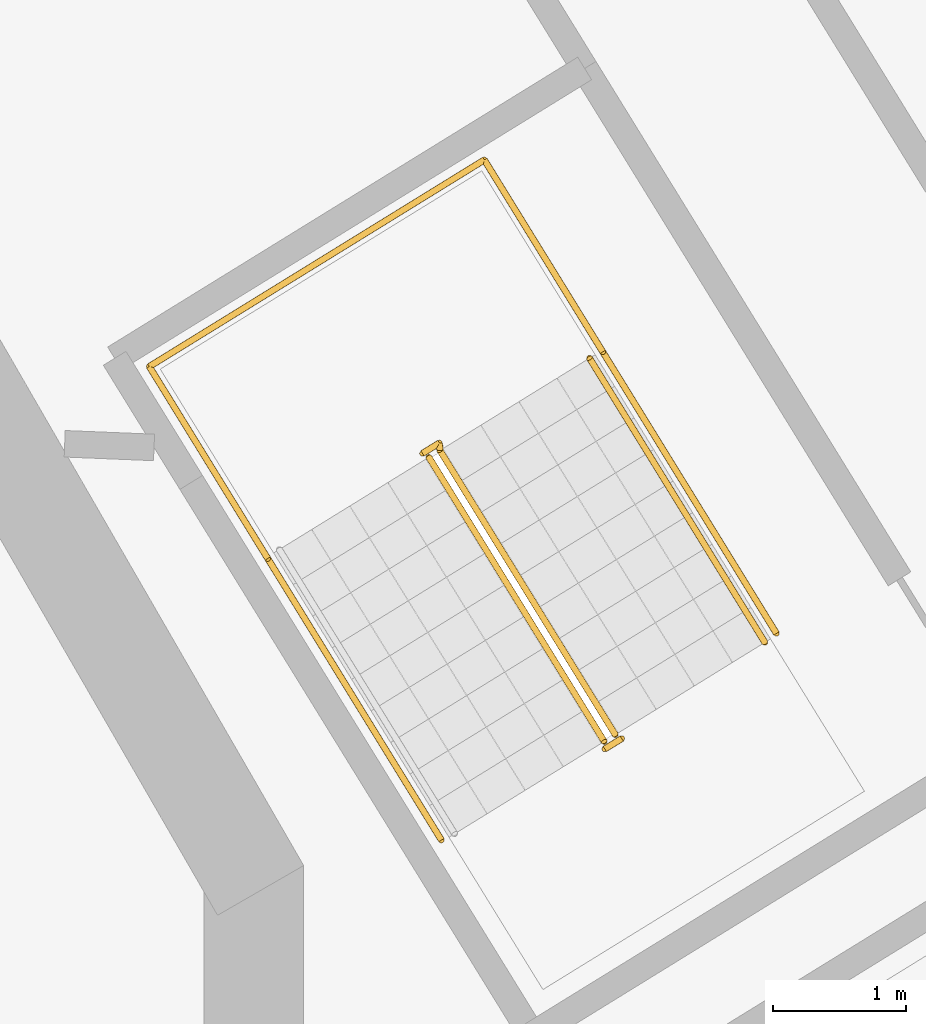
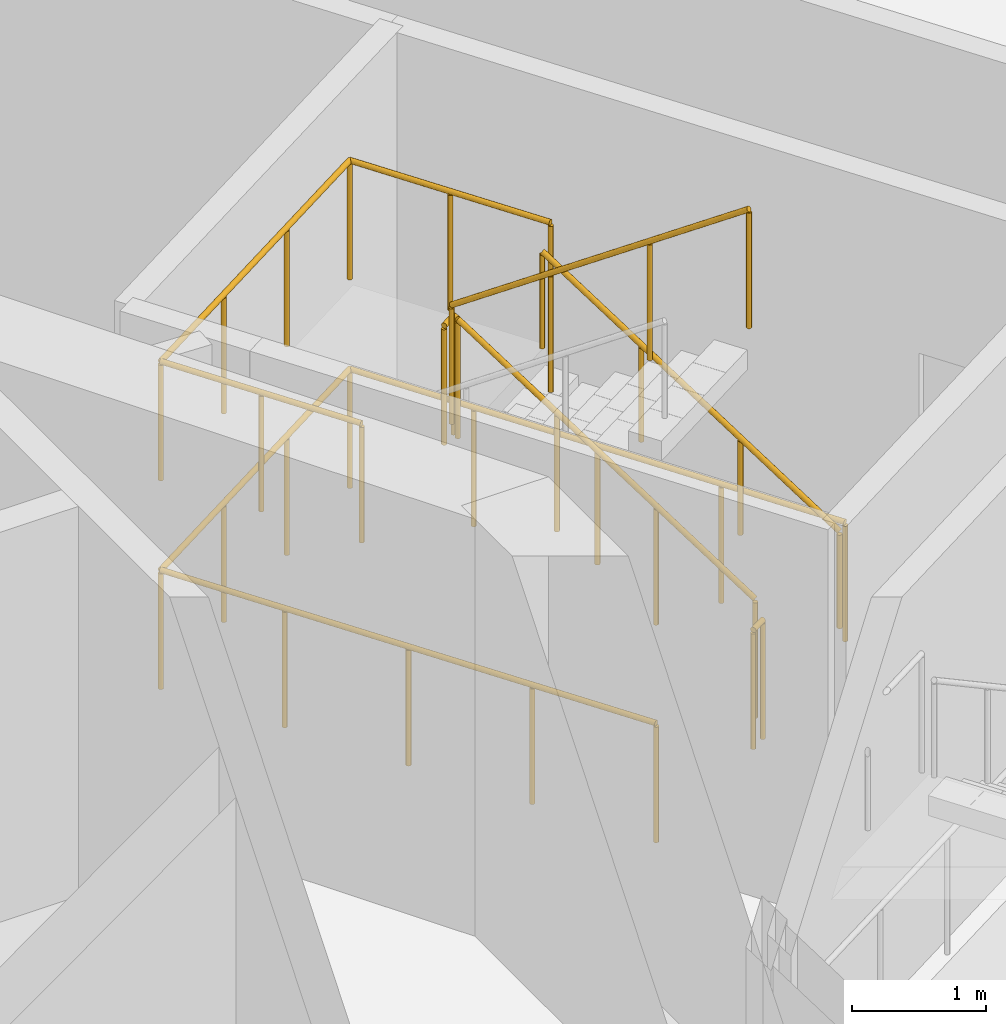
# One storey, part 17 of 19: 6 railings.
"""IFC4 building model written with IfcOpenShell, lengths in metres."""

from ifc_helpers import new_model, si_unit, direction, frame, origin, origin_2d, place, context, subcontext, project, spatial, circle, extrude, material, type_object, element, save


model = new_model("IFC4")

# Units and contexts
model_context = context("Model", 3, precision=1e-05, world=origin(), true_north=direction((0.0, 1.0)))
body_context = subcontext(model_context, "Body", "Model", "MODEL_VIEW")
ifc_project = project(units=[si_unit("LENGTHUNIT", "METRE"), si_unit("AREAUNIT", "SQUARE_METRE"), si_unit("VOLUMEUNIT", "CUBIC_METRE"), si_unit("PLANEANGLEUNIT", "RADIAN"), si_unit("MASSUNIT", "GRAM", prefix="KILO")], contexts=[model_context])

# Site, building, storey
site_placement = place(None, origin())
site = spatial("IfcSite", under=ifc_project, at=site_placement, CompositionType="ELEMENT")
building_placement = place(site_placement, origin())
building = spatial("IfcBuilding", under=site, at=building_placement, Name="Cantera Rosa Tower", CompositionType="ELEMENT")
storey_placement = place(building_placement, frame((0.0, 0.0, 147.60009765625)))
storey = spatial("IfcBuildingStorey", under=building, at=storey_placement, Name="L31", CompositionType="ELEMENT", Elevation=147.60009765625)

# Railings
ifc_material_1 = material(Name="Steel S355J2 (EN 10025-2)", Category="steel")
railing_type_1 = type_object("IfcRailingType", Name="STAIR GUARD 1100", PredefinedType="GUARDRAIL", material=ifc_material_1)
railing_1_placement = place(storey_placement, frame((12.9765625, 3.834228515625, 0.18994140625)))
element("IfcRailing", 1, at=railing_1_placement, inside=storey, type_object=railing_type_1, Name="L31 ST-31 stair guard 1", PredefinedType="GUARDRAIL", context=body_context, shape_type="SweptSolid", body=[
    extrude(circle(Radius=0.02392578125, at=origin_2d()), frame((0.0, 0.0, 1.076171875), z_axis=(-0.434362572038, 0.70429590169, 0.561512634654), x_axis=(-0.851145618652, -0.524929648476, 0.0)), (0.0, 0.0, 1.0), 3.045166015625),
    extrude(circle(Radius=0.02392578125, at=origin_2d()), frame((-1.32275390625, 2.144775390625, 2.7861328125), z_axis=(-0.073711968402, 0.997279572494, 0.0), x_axis=(-0.997279572494, -0.073711968402, 0.0)), (0.0, 0.0, 1.0), 0.056396484375),
    extrude(circle(Radius=0.02392578125, at=origin_2d()), frame((-1.326904296875, 2.200927734375, 2.7861328125), z_axis=(-0.851546489876, -0.524279100842, 0.0), x_axis=(0.524279100842, -0.851546489876, 0.0)), (0.0, 0.0, 1.0), 0.14990234375),
    extrude(circle(Radius=0.02099609375, at=origin_2d()), origin(), (0.0, 0.0, 1.0), 1.052001953125),
    extrude(circle(Radius=0.02099609375, at=origin_2d()), frame((-0.44091796875, 0.71484375, 0.570068359375)), (0.0, 0.0, 1.0), 1.052001953125),
    extrude(circle(Radius=0.02099609375, at=origin_2d()), frame((-0.8818359375, 1.429931640625, 1.139892578125)), (0.0, 0.0, 1.0), 1.052001953125),
    extrude(circle(Radius=0.02099609375, at=origin_2d()), frame((-1.32275390625, 2.144775390625, 1.7099609375)), (0.0, 0.0, 1.0), 1.052001953125),
    extrude(circle(Radius=0.02099609375, at=origin_2d()), frame((-1.326904296875, 2.200927734375, 1.7099609375)), (0.0, 0.0, 1.0), 1.052001953125),
    extrude(circle(Radius=0.02099609375, at=origin_2d()), frame((-1.45458984375, 2.122314453125, 1.7099609375)), (0.0, 0.0, 1.0), 1.052001953125),
])
railing_2_placement = place(storey_placement, frame((11.5703125, 5.927490234375, 2.08984375)))
element("IfcRailing", 2, at=railing_2_placement, inside=storey, type_object=railing_type_1, Name="L31 ST-31 stair guard 2", PredefinedType="GUARDRAIL", context=body_context, shape_type="SweptSolid", body=[
    extrude(circle(Radius=0.02392578125, at=origin_2d()), frame((0.0, 0.0, 1.076171875), z_axis=(0.434427613125, -0.704271375033, 0.561493080334), x_axis=(0.851102330005, 0.524999832248, 0.0)), (0.0, 0.0, 1.0), 3.04541015625),
    extrude(circle(Radius=0.02099609375, at=origin_2d()), origin(), (0.0, 0.0, 1.0), 1.052001953125),
    extrude(circle(Radius=0.02099609375, at=origin_2d()), frame((0.44091796875, -0.71484375, 0.570068359375)), (0.0, 0.0, 1.0), 1.052001953125),
    extrude(circle(Radius=0.02099609375, at=origin_2d()), frame((0.882080078125, -1.429931640625, 1.139892578125)), (0.0, 0.0, 1.0), 1.052001953125),
    extrude(circle(Radius=0.02099609375, at=origin_2d()), frame((1.322998046875, -2.144775390625, 1.7099609375)), (0.0, 0.0, 1.0), 1.052001953125),
])
railing_3_placement = place(storey_placement, frame((13.025146484375, 3.80517578125, 0.0)))
element("IfcRailing", 3, at=railing_3_placement, inside=storey, type_object=railing_type_1, Name="L31 ST-31 stair guard 3", PredefinedType="GUARDRAIL", context=body_context, shape_type="SweptSolid", body=[
    extrude(circle(Radius=0.02392578125, at=origin_2d()), frame((0.0, 0.0, 1.076171875), z_axis=(-0.851546489876, -0.524279100842, 0.0), x_axis=(0.524279100842, -0.851546489876, 0.0)), (0.0, 0.0, 1.0), 0.14990234375),
    extrude(circle(Radius=0.02099609375, at=origin_2d()), origin(), (0.0, 0.0, 1.0), 1.052001953125),
    extrude(circle(Radius=0.02099609375, at=origin_2d()), frame((-0.127685546875, -0.07861328125, 0.0)), (0.0, 0.0, 1.0), 1.052001953125),
])
railing_4_placement = place(storey_placement, frame((14.192626953125, 4.59814453125, 0.0)))
element("IfcRailing", 4, at=railing_4_placement, inside=storey, type_object=railing_type_1, Name="L31 ST-31 stair guard 4", PredefinedType="GUARDRAIL", context=body_context, shape_type="SweptSolid", body=[
    extrude(circle(Radius=0.02392578125, at=origin_2d()), frame((0.0, 0.0, 1.076171875), z_axis=(-0.524976478809, 0.851116735059, 0.0), x_axis=(-0.851116735059, -0.524976478809, 0.0)), (0.0, 0.0, 1.0), 4.197998046875),
    extrude(circle(Radius=0.02392578125, at=origin_2d()), frame((-2.203857421875, 3.572998046875, 1.076171875), z_axis=(-0.851132917336, -0.524950242429, 0.0), x_axis=(0.524950242429, -0.851132917336, 0.0)), (0.0, 0.0, 1.0), 2.969970703125),
    extrude(circle(Radius=0.02392578125, at=origin_2d()), frame((-4.731689453125, 2.013916015625, 1.076171875), z_axis=(0.524976478809, -0.851116735059, 0.0), x_axis=(0.851116735059, 0.524976478809, 0.0)), (0.0, 0.0, 1.0), 4.197998046875),
    extrude(circle(Radius=0.02099609375, at=origin_2d()), origin(), (0.0, 0.0, 1.0), 1.052001953125),
    extrude(circle(Radius=0.02099609375, at=origin_2d()), frame((-0.551025390625, 0.893310546875, 0.0)), (0.0, 0.0, 1.0), 1.052001953125),
    extrude(circle(Radius=0.02099609375, at=origin_2d()), frame((-1.10205078125, 1.78662109375, 0.0)), (0.0, 0.0, 1.0), 1.052001953125),
    extrude(circle(Radius=0.02099609375, at=origin_2d()), frame((-1.65283203125, 2.6796875, 0.0)), (0.0, 0.0, 1.0), 1.052001953125),
    extrude(circle(Radius=0.02099609375, at=origin_2d()), frame((-2.203857421875, 3.572998046875, 0.0)), (0.0, 0.0, 1.0), 1.052001953125),
    extrude(circle(Radius=0.02099609375, at=origin_2d()), frame((-3.04638671875, 3.05322265625, 0.0)), (0.0, 0.0, 1.0), 1.052001953125),
    extrude(circle(Radius=0.02099609375, at=origin_2d()), frame((-3.88916015625, 2.53369140625, 0.0)), (0.0, 0.0, 1.0), 1.052001953125),
    extrude(circle(Radius=0.02099609375, at=origin_2d()), frame((-4.731689453125, 2.013916015625, 0.0)), (0.0, 0.0, 1.0), 1.052001953125),
    extrude(circle(Radius=0.02099609375, at=origin_2d()), frame((-4.1806640625, 1.12060546875, 0.0)), (0.0, 0.0, 1.0), 1.052001953125),
    extrude(circle(Radius=0.02099609375, at=origin_2d()), frame((-3.6298828125, 0.2275390625, 0.0)), (0.0, 0.0, 1.0), 1.052001953125),
    extrude(circle(Radius=0.02099609375, at=origin_2d()), frame((-3.078857421875, -0.665771484375, 0.0)), (0.0, 0.0, 1.0), 1.052001953125),
    extrude(circle(Radius=0.02099609375, at=origin_2d()), frame((-2.52783203125, -1.55908203125, 0.0)), (0.0, 0.0, 1.0), 1.052001953125),
])
railing_5_placement = place(storey_placement, frame((12.88232421875, 6.72265625, 1.89990234375)))
element("IfcRailing", 5, at=railing_5_placement, inside=storey, type_object=railing_type_1, Name="L31 ST-31 stair guard 5", PredefinedType="GUARDRAIL", context=body_context, shape_type="SweptSolid", body=[
    extrude(circle(Radius=0.02392578125, at=origin_2d()), frame((0.0, 0.0, 1.076171875), z_axis=(-0.525025534833, 0.851086474909, 0.0), x_axis=(-0.851086474909, -0.525025534833, 0.0)), (0.0, 0.0, 1.0), 1.701904296875),
    extrude(circle(Radius=0.02392578125, at=origin_2d()), frame((-0.8935546875, 1.448486328125, 1.076171875), z_axis=(-0.851132917336, -0.524950242429, 0.0), x_axis=(0.524950242429, -0.851132917336, 0.0)), (0.0, 0.0, 1.0), 2.969970703125),
    extrude(circle(Radius=0.02392578125, at=origin_2d()), frame((-3.42138671875, -0.110595703125, 1.076171875), z_axis=(0.524961441845, -0.851126009811, 0.0), x_axis=(0.851126009811, 0.524961441845, 0.0)), (0.0, 0.0, 1.0), 1.7021484375),
    extrude(circle(Radius=0.02099609375, at=origin_2d()), origin(), (0.0, 0.0, 1.0), 1.052001953125),
    extrude(circle(Radius=0.02099609375, at=origin_2d()), frame((-0.44677734375, 0.72412109375, 0.0)), (0.0, 0.0, 1.0), 1.052001953125),
    extrude(circle(Radius=0.02099609375, at=origin_2d()), frame((-0.8935546875, 1.448486328125, 0.0)), (0.0, 0.0, 1.0), 1.052001953125),
    extrude(circle(Radius=0.02099609375, at=origin_2d()), frame((-1.736083984375, 0.9287109375, 0.0)), (0.0, 0.0, 1.0), 1.052001953125),
    extrude(circle(Radius=0.02099609375, at=origin_2d()), frame((-2.578857421875, 0.4091796875, 0.0)), (0.0, 0.0, 1.0), 1.052001953125),
    extrude(circle(Radius=0.02099609375, at=origin_2d()), frame((-3.42138671875, -0.110595703125, 0.0)), (0.0, 0.0, 1.0), 1.052001953125),
    extrude(circle(Radius=0.02099609375, at=origin_2d()), frame((-2.974609375, -0.8349609375, 0.0)), (0.0, 0.0, 1.0), 1.052001953125),
    extrude(circle(Radius=0.02099609375, at=origin_2d()), frame((-2.52783203125, -1.559326171875, 0.0)), (0.0, 0.0, 1.0), 1.052001953125),
])
ifc_material_2 = material(Name="Steel S355J2 (EN 10025-2)", Category="steel")
railing_type_2 = type_object("IfcRailingType", Name="STAIR HANDRAIL 900", PredefinedType="HANDRAIL", material=ifc_material_2)
railing_6_placement = place(storey_placement, frame((14.105224609375, 4.5302734375, 0.18994140625)))
element("IfcRailing", 6, at=railing_6_placement, inside=storey, type_object=railing_type_2, Name="L31 ST-31 stair handrail 1", PredefinedType="HANDRAIL", context=body_context, shape_type="SweptSolid", body=[
    extrude(circle(Radius=0.02392578125, at=origin_2d()), frame((0.0, 0.0, 0.8759765625), z_axis=(-0.434427613125, 0.704271375033, 0.561493080334), x_axis=(-0.851102330005, -0.524999832248, 0.0)), (0.0, 0.0, 1.0), 3.04541015625),
    extrude(circle(Radius=0.02099609375, at=origin_2d()), origin(), (0.0, 0.0, 1.0), 0.851806640625),
    extrude(circle(Radius=0.02099609375, at=origin_2d()), frame((-0.44091796875, 0.71484375, 0.570068359375)), (0.0, 0.0, 1.0), 0.851806640625),
    extrude(circle(Radius=0.02099609375, at=origin_2d()), frame((-0.882080078125, 1.429931640625, 1.139892578125)), (0.0, 0.0, 1.0), 0.851806640625),
    extrude(circle(Radius=0.02099609375, at=origin_2d()), frame((-1.322998046875, 2.144775390625, 1.7099609375)), (0.0, 0.0, 1.0), 0.851806640625),
])

save(model, "model.ifc")
